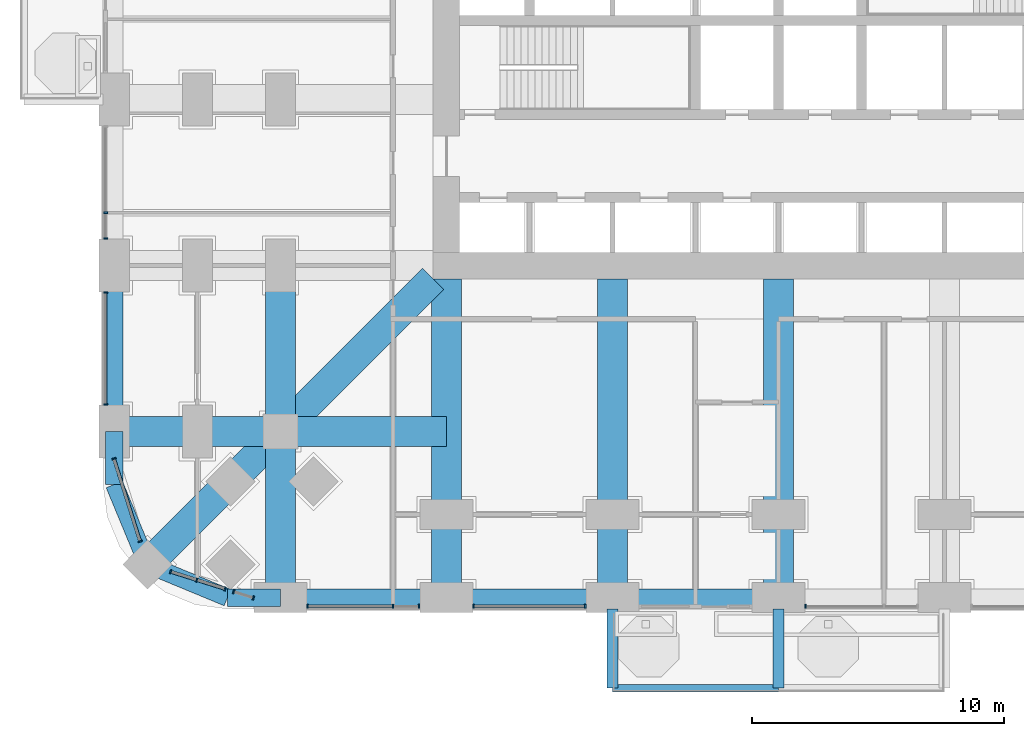
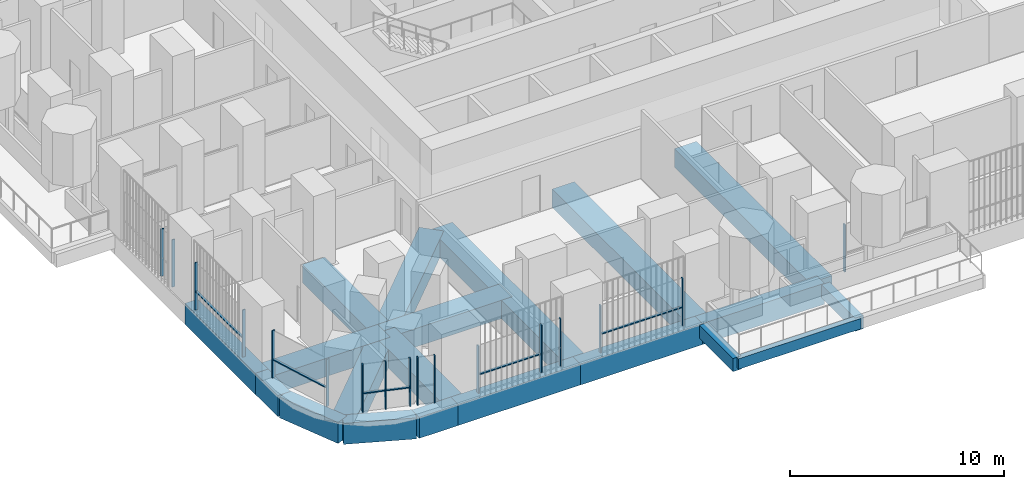
# One storey, part 2 of 26: 23 members, 20 beams, 8 elements without a shape of their own.
"""IFC4 building model written with IfcOpenShell, lengths in metres."""

from ifc_helpers import new_model, si_unit, direction, frame, origin, origin_2d, place, context, subcontext, project, spatial, rectangle, extrude, material, material_profile, profile_set, type_object, element, aggregate, save


model = new_model("IFC4")

# Units and contexts
model_context = context("Model", 3, precision=1e-05, world=origin(), true_north=direction((0.0, 1.0)))
body_context = subcontext(model_context, "Body", "Model", "MODEL_VIEW")
ifc_project = project(units=[si_unit("LENGTHUNIT", "METRE"), si_unit("AREAUNIT", "SQUARE_METRE"), si_unit("VOLUMEUNIT", "CUBIC_METRE"), si_unit("PLANEANGLEUNIT", "RADIAN"), si_unit("MASSUNIT", "GRAM", prefix="KILO")], contexts=[model_context])

# Site, building, storey
site_placement = place(None, origin())
site = spatial("IfcSite", under=ifc_project, at=site_placement, CompositionType="ELEMENT")
building_placement = place(site_placement, origin())
building = spatial("IfcBuilding", under=site, at=building_placement, Name="Cobogo Forest Laboratory Tower", CompositionType="ELEMENT")
storey_placement = place(building_placement, frame((0.0, 0.0, 50.699951171875)))
storey = spatial("IfcBuildingStorey", under=building, at=storey_placement, Name="L11", CompositionType="ELEMENT", Elevation=50.699951171875)

# Beams
ifc_material_1 = material(Name="Concrete HA-40 (C40/50)", Category="concrete")
ifc_material_profile_1 = material_profile(ifc_material_1, rectangle(XDim=0.449951171875, YDim=0.75, at=origin_2d()), Name="RC 450x750")
ifc_profile_set_1 = profile_set([ifc_material_profile_1], Name="Concrete HA-40 (C40/50)")
beam_type_1 = type_object("IfcBeamType", Name="Balcony cantilever beam 450x750", PredefinedType="BEAM", material=ifc_profile_set_1)
for number, where, z_axis, x_axis, name in (
    (1, (19.800048828125, -0.449951171875, -0.625), (0.0, -1.0, 0.0), (1.0, 0.0, 0.0), "CB1 BAL-S1-C1 L11"),
    (2, (26.39990234375, -0.449951171875, -0.625), (0.0, -1.0, 0.0), (1.0, 0.0, 0.0), "CB1 BAL-S1-C2 L11"),
):
    element("IfcBeam", number, at=place(storey_placement, frame(where, z_axis=z_axis, x_axis=x_axis)), inside=storey, type_object=beam_type_1, Name=name, PredefinedType="BEAM", context=body_context, shape_type="SweptSolid", body=[
        extrude(rectangle(XDim=0.449951171875, YDim=0.75, at=origin_2d()), origin(), (0.0, 0.0, 1.0), 3.150146484375),
    ])
ifc_material_profile_2 = material_profile(ifc_material_1, rectangle(XDim=0.300048828125, YDim=0.60009765625, at=origin_2d()), Name="RC 300x600")
ifc_profile_set_2 = profile_set([ifc_material_profile_2], Name="Concrete HA-40 (C40/50)")
beam_type_2 = type_object("IfcBeamType", Name="Balcony edge beam 300x600", PredefinedType="BEAM", material=ifc_profile_set_2)
beam_1_placement = place(storey_placement, frame((19.800048828125, -3.60009765625, -0.550048828125), z_axis=(1.0, 0.0, 0.0), x_axis=(0.0, 1.0, 0.0)))
element("IfcBeam", 3, at=beam_1_placement, inside=storey, type_object=beam_type_2, Name="BB1 BAL-S1-T1 L11", PredefinedType="BEAM", context=body_context, shape_type="SweptSolid", body=[
    extrude(rectangle(XDim=0.300048828125, YDim=0.60009765625, at=origin_2d()), origin(), (0.0, 0.0, 1.0), 6.599853515625),
])
ifc_material_profile_3 = material_profile(ifc_material_1, rectangle(XDim=1.199951171875, YDim=1.050048828125, at=origin_2d()), Name="RC 1200x1050")
ifc_profile_set_3 = profile_set([ifc_material_profile_3], Name="Concrete HA-40 (C40/50)")
beam_type_3 = type_object("IfcBeamType", Name="Laboratory floor wide beam 1200x1050", PredefinedType="BEAM", material=ifc_profile_set_3)
for number, where, z_axis, x_axis, name in (
    (4, (13.199951171875, 12.675048828125, -0.824951171875), (0.0, -1.0, 0.0), (1.0, 0.0, 0.0), "RB1 R-3-S L11"),
    (5, (19.800048828125, 12.675048828125, -0.824951171875), (0.0, -1.0, 0.0), (1.0, 0.0, 0.0), "RB1 R-4-S L11"),
    (6, (26.39990234375, 12.675048828125, -0.824951171875), (0.0, -1.0, 0.0), (1.0, 0.0, 0.0), "RB1 R-5-S L11"),
):
    element("IfcBeam", number, at=place(storey_placement, frame(where, z_axis=z_axis, x_axis=x_axis)), inside=storey, type_object=beam_type_3, Name=name, PredefinedType="BEAM", context=body_context, shape_type="SweptSolid", body=[
        extrude(rectangle(XDim=1.199951171875, YDim=1.050048828125, at=origin_2d()), origin(), (0.0, 0.0, 1.0), 12.675048828125),
    ])
beam_2_placement = place(storey_placement, frame((6.60009765625, 0.0, -0.824951171875), z_axis=(0.0, 1.0, 0.0), x_axis=(-1.0, 0.0, 0.0)))
element("IfcBeam", 7, at=beam_2_placement, inside=storey, type_object=beam_type_3, Name="RB1 G-SW-XF L11", PredefinedType="BEAM", context=body_context, shape_type="SweptSolid", body=[
    extrude(rectangle(XDim=1.199951171875, YDim=1.050048828125, at=origin_2d()), origin(), (0.0, 0.0, 1.0), 6.60009765625),
])
beam_3_placement = place(storey_placement, frame((6.60009765625, 6.60009765625, -0.824951171875), z_axis=(0.0, 1.0, 0.0), x_axis=(-1.0, 0.0, 0.0)))
element("IfcBeam", 8, at=beam_3_placement, inside=storey, type_object=beam_type_3, Name="RB1 G-SW-XC L11", PredefinedType="BEAM", context=body_context, shape_type="SweptSolid", body=[
    extrude(rectangle(XDim=1.199951171875, YDim=1.050048828125, at=origin_2d()), origin(), (0.0, 0.0, 1.0), 6.599853515625),
])
beam_4_placement = place(storey_placement, frame((0.0, 6.60009765625, -0.824951171875), z_axis=(1.0, 0.0, 0.0), x_axis=(0.0, 1.0, 0.0)))
element("IfcBeam", 9, at=beam_4_placement, inside=storey, type_object=beam_type_3, Name="RB1 G-SW-YF L11", PredefinedType="BEAM", context=body_context, shape_type="SweptSolid", body=[
    extrude(rectangle(XDim=1.199951171875, YDim=1.050048828125, at=origin_2d()), origin(), (0.0, 0.0, 1.0), 6.60009765625),
])
beam_5_placement = place(storey_placement, frame((6.60009765625, 6.60009765625, -0.824951171875), z_axis=(1.0, 0.0, 0.0), x_axis=(0.0, 1.0, 0.0)))
element("IfcBeam", 10, at=beam_5_placement, inside=storey, type_object=beam_type_3, Name="RB1 G-SW-YC L11", PredefinedType="BEAM", context=body_context, shape_type="SweptSolid", body=[
    extrude(rectangle(XDim=1.199951171875, YDim=1.050048828125, at=origin_2d()), origin(), (0.0, 0.0, 1.0), 6.599853515625),
])
beam_6_placement = place(storey_placement, frame((1.318115234375, 1.318115234375, -0.824951171875), z_axis=(0.707106781187, 0.707106781187, 0.0), x_axis=(-0.707106781187, 0.707106781187, 0.0)))
element("IfcBeam", 11, at=beam_6_placement, inside=storey, type_object=beam_type_3, Name="RB1 G-SW-D1 L11", PredefinedType="BEAM", context=body_context, shape_type="SweptSolid", body=[
    extrude(rectangle(XDim=1.199951171875, YDim=1.050048828125, at=origin_2d()), origin(), (0.0, 0.0, 1.0), 7.469970703125),
])
beam_7_placement = place(storey_placement, frame((6.60009765625, 6.60009765625, -0.824951171875), z_axis=(0.707106781187, 0.707106781187, 0.0), x_axis=(-0.707106781187, 0.707106781187, 0.0)))
element("IfcBeam", 12, at=beam_7_placement, inside=storey, type_object=beam_type_3, Name="RB1 G-SW-D2 L11", PredefinedType="BEAM", context=body_context, shape_type="SweptSolid", body=[
    extrude(rectangle(XDim=1.199951171875, YDim=1.050048828125, at=origin_2d()), origin(), (0.0, 0.0, 1.0), 8.59130859375),
])

# Curtain wall, members
ifc_material_2 = material(Name="Aluminium curtain wall", Category="aluminium")
curtain_wall_type = type_object("IfcCurtainWallType", Name="CW-1 unitised curtain wall, clear glazing, laboratory floors zones A and B", PredefinedType="USERDEFINED", material=ifc_material_2)
curtain_wall_1_placement = place(storey_placement, origin())
curtain_wall_1 = element("IfcCurtainWall", 13, at=curtain_wall_1_placement, inside=storey, type_object=curtain_wall_type, Name="Curtain wall 01 L11", ObjectType="UNITISED CURTAIN WALL", PredefinedType="USERDEFINED")
ifc_material_3 = material(Name="Aluminium mullion", Category="aluminium")
ifc_material_profile_4 = material_profile(ifc_material_3, rectangle(XDim=0.06005859375, YDim=0.159912109375, at=origin_2d()), Name="AL 60x160")
ifc_profile_set_4 = profile_set([ifc_material_profile_4], Name="Aluminium mullion")
member_type_1 = type_object("IfcMemberType", Name="MU-1 aluminium mullion 60x160", PredefinedType="MULLION", material=ifc_profile_set_4)
member_1_placement = place(storey_placement, frame((7.679931640625, -0.35009765625, 0.0), z_axis=(0.0, 0.0, 1.0), x_axis=(1.0, 0.0, 0.0)))
member_1 = element("IfcMember", 14, at=member_1_placement, type_object=member_type_1, Name="CW-1 mullion 1", PredefinedType="MULLION", context=body_context, shape_type="SweptSolid", body=[
    extrude(rectangle(XDim=0.06005859375, YDim=0.159912109375, at=origin_2d()), origin(), (0.0, 0.0, 1.0), 2.699951171875),
])
member_2_placement = place(storey_placement, frame((11.074951171875, -0.35009765625, 0.0), z_axis=(0.0, 0.0, 1.0), x_axis=(1.0, 0.0, 0.0)))
member_2 = element("IfcMember", 15, at=member_2_placement, type_object=member_type_1, Name="CW-1 mullion 2", PredefinedType="MULLION", context=body_context, shape_type="SweptSolid", body=[
    extrude(rectangle(XDim=0.06005859375, YDim=0.159912109375, at=origin_2d()), origin(), (0.0, 0.0, 1.0), 2.699951171875),
])
member_3_placement = place(storey_placement, frame((12.1201171875, -0.35009765625, 0.0), z_axis=(0.0, 0.0, 1.0), x_axis=(1.0, 0.0, 0.0)))
member_3 = element("IfcMember", 16, at=member_3_placement, type_object=member_type_1, Name="CW-1 mullion 3", PredefinedType="MULLION", context=body_context, shape_type="SweptSolid", body=[
    extrude(rectangle(XDim=0.06005859375, YDim=0.159912109375, at=origin_2d()), origin(), (0.0, 0.0, 1.0), 2.699951171875),
])

curtain_wall_2_placement = place(storey_placement, origin())
curtain_wall_2 = element("IfcCurtainWall", 17, at=curtain_wall_2_placement, inside=storey, type_object=curtain_wall_type, Name="Curtain wall 02 L11", ObjectType="UNITISED CURTAIN WALL", PredefinedType="USERDEFINED")
member_4_placement = place(storey_placement, frame((14.280029296875, -0.35009765625, 0.0), z_axis=(0.0, 0.0, 1.0), x_axis=(1.0, 0.0, 0.0)))
member_4 = element("IfcMember", 18, at=member_4_placement, type_object=member_type_1, Name="CW-1 mullion 1", PredefinedType="MULLION", context=body_context, shape_type="SweptSolid", body=[
    extrude(rectangle(XDim=0.06005859375, YDim=0.159912109375, at=origin_2d()), origin(), (0.0, 0.0, 1.0), 2.699951171875),
])
member_5_placement = place(storey_placement, frame((18.719970703125, -0.35009765625, 0.0), z_axis=(0.0, 0.0, 1.0), x_axis=(1.0, 0.0, 0.0)))
member_5 = element("IfcMember", 19, at=member_5_placement, type_object=member_type_1, Name="CW-1 mullion 2", PredefinedType="MULLION", context=body_context, shape_type="SweptSolid", body=[
    extrude(rectangle(XDim=0.06005859375, YDim=0.159912109375, at=origin_2d()), origin(), (0.0, 0.0, 1.0), 2.699951171875),
])

# Curtain wall, member
curtain_wall_3_placement = place(storey_placement, origin())
curtain_wall_3 = element("IfcCurtainWall", 20, at=curtain_wall_3_placement, inside=storey, type_object=curtain_wall_type, Name="Curtain wall 04 L11", ObjectType="UNITISED CURTAIN WALL", PredefinedType="USERDEFINED")
member_6_placement = place(storey_placement, frame((27.47998046875, -0.35009765625, 0.0), z_axis=(0.0, 0.0, 1.0), x_axis=(1.0, 0.0, 0.0)))
member_6 = element("IfcMember", 21, at=member_6_placement, type_object=member_type_1, Name="CW-1 mullion 1", PredefinedType="MULLION", context=body_context, shape_type="SweptSolid", body=[
    extrude(rectangle(XDim=0.06005859375, YDim=0.159912109375, at=origin_2d()), origin(), (0.0, 0.0, 1.0), 2.699951171875),
])
aggregate(curtain_wall_3, [member_6])

# Curtain wall, members
curtain_wall_4_placement = place(storey_placement, origin())
curtain_wall_4 = element("IfcCurtainWall", 22, at=curtain_wall_4_placement, inside=storey, type_object=curtain_wall_type, Name="Curtain wall 30 L11", ObjectType="UNITISED CURTAIN WALL", PredefinedType="USERDEFINED")
member_7_placement = place(storey_placement, frame((-0.35009765625, 15.300048828125, 0.0), z_axis=(0.0, 0.0, 1.0), x_axis=(0.0, -1.0, 0.0)))
member_7 = element("IfcMember", 23, at=member_7_placement, type_object=member_type_1, Name="CW-1 mullion 2", PredefinedType="MULLION", context=body_context, shape_type="SweptSolid", body=[
    extrude(rectangle(XDim=0.06005859375, YDim=0.159912109375, at=origin_2d()), origin(), (0.0, 0.0, 1.0), 2.699951171875),
])
member_8_placement = place(storey_placement, frame((-0.35009765625, 14.280029296875, 0.0), z_axis=(0.0, 0.0, 1.0), x_axis=(0.0, -1.0, 0.0)))
member_8 = element("IfcMember", 24, at=member_8_placement, type_object=member_type_1, Name="CW-1 mullion 3", PredefinedType="MULLION", context=body_context, shape_type="SweptSolid", body=[
    extrude(rectangle(XDim=0.06005859375, YDim=0.159912109375, at=origin_2d()), origin(), (0.0, 0.0, 1.0), 2.699951171875),
])
aggregate(curtain_wall_4, [member_7, member_8])

curtain_wall_5_placement = place(storey_placement, origin())
curtain_wall_5 = element("IfcCurtainWall", 25, at=curtain_wall_5_placement, inside=storey, type_object=curtain_wall_type, Name="Curtain wall 31 L11", ObjectType="UNITISED CURTAIN WALL", PredefinedType="USERDEFINED")
member_9_placement = place(storey_placement, frame((-0.35009765625, 12.1201171875, 0.0), z_axis=(0.0, 0.0, 1.0), x_axis=(0.0, -1.0, 0.0)))
member_9 = element("IfcMember", 26, at=member_9_placement, type_object=member_type_1, Name="CW-1 mullion 1", PredefinedType="MULLION", context=body_context, shape_type="SweptSolid", body=[
    extrude(rectangle(XDim=0.06005859375, YDim=0.159912109375, at=origin_2d()), origin(), (0.0, 0.0, 1.0), 2.699951171875),
])
member_10_placement = place(storey_placement, frame((-0.35009765625, 7.679931640625, 0.0), z_axis=(0.0, 0.0, 1.0), x_axis=(0.0, -1.0, 0.0)))
member_10 = element("IfcMember", 27, at=member_10_placement, type_object=member_type_1, Name="CW-1 mullion 2", PredefinedType="MULLION", context=body_context, shape_type="SweptSolid", body=[
    extrude(rectangle(XDim=0.06005859375, YDim=0.159912109375, at=origin_2d()), origin(), (0.0, 0.0, 1.0), 2.699951171875),
])

curtain_wall_6_placement = place(storey_placement, origin())
curtain_wall_6 = element("IfcCurtainWall", 28, at=curtain_wall_6_placement, inside=storey, type_object=curtain_wall_type, Name="Curtain wall 32 L11", ObjectType="UNITISED CURTAIN WALL", PredefinedType="USERDEFINED")
member_11_placement = place(storey_placement, frame((-0.00927734375, 5.521484375, 0.0), z_axis=(0.0, 0.0, 1.0), x_axis=(0.30113535792, -0.95358140513, 0.0)))
member_11 = element("IfcMember", 29, at=member_11_placement, type_object=member_type_1, Name="CW-1 mullion 1", PredefinedType="MULLION", context=body_context, shape_type="SweptSolid", body=[
    extrude(rectangle(XDim=0.06005859375, YDim=0.159912109375, at=origin_2d()), origin(), (0.0, 0.0, 1.0), 2.699951171875),
])
member_12_placement = place(storey_placement, frame((1.02734375, 2.23876953125, 0.0), z_axis=(0.0, 0.0, 1.0), x_axis=(0.30113535792, -0.95358140513, 0.0)))
member_12 = element("IfcMember", 30, at=member_12_placement, type_object=member_type_1, Name="CW-1 mullion 2", PredefinedType="MULLION", context=body_context, shape_type="SweptSolid", body=[
    extrude(rectangle(XDim=0.06005859375, YDim=0.159912109375, at=origin_2d()), origin(), (0.0, 0.0, 1.0), 2.699951171875),
])

curtain_wall_7_placement = place(storey_placement, origin())
curtain_wall_7 = element("IfcCurtainWall", 31, at=curtain_wall_7_placement, inside=storey, type_object=curtain_wall_type, Name="Curtain wall 33 L11", ObjectType="UNITISED CURTAIN WALL", PredefinedType="USERDEFINED")
member_13_placement = place(storey_placement, frame((2.23876953125, 1.02734375, 0.0), z_axis=(0.0, 0.0, 1.0), x_axis=(0.953581409645, -0.301135343623, 0.0)))
member_13 = element("IfcMember", 32, at=member_13_placement, type_object=member_type_1, Name="CW-1 mullion 1", PredefinedType="MULLION", context=body_context, shape_type="SweptSolid", body=[
    extrude(rectangle(XDim=0.06005859375, YDim=0.159912109375, at=origin_2d()), origin(), (0.0, 0.0, 1.0), 2.699951171875),
])
member_14_placement = place(storey_placement, frame((3.27587890625, 0.69970703125, 0.0), z_axis=(0.0, 0.0, 1.0), x_axis=(0.953581409645, -0.301135343623, 0.0)))
member_14 = element("IfcMember", 33, at=member_14_placement, type_object=member_type_1, Name="CW-1 mullion 2", PredefinedType="MULLION", context=body_context, shape_type="SweptSolid", body=[
    extrude(rectangle(XDim=0.06005859375, YDim=0.159912109375, at=origin_2d()), origin(), (0.0, 0.0, 1.0), 2.699951171875),
])
member_15_placement = place(storey_placement, frame((4.39697265625, 0.345703125, 0.0), z_axis=(0.0, 0.0, 1.0), x_axis=(0.953581409645, -0.301135343623, 0.0)))
member_15 = element("IfcMember", 34, at=member_15_placement, type_object=member_type_1, Name="CW-1 mullion 3", PredefinedType="MULLION", context=body_context, shape_type="SweptSolid", body=[
    extrude(rectangle(XDim=0.06005859375, YDim=0.159912109375, at=origin_2d()), origin(), (0.0, 0.0, 1.0), 2.699951171875),
])

curtain_wall_8_placement = place(storey_placement, origin())
curtain_wall_8 = element("IfcCurtainWall", 35, at=curtain_wall_8_placement, inside=storey, type_object=curtain_wall_type, Name="Curtain wall 34 L11", ObjectType="UNITISED CURTAIN WALL", PredefinedType="USERDEFINED")
member_16_placement = place(storey_placement, frame((4.74658203125, 0.2353515625, 0.0), z_axis=(0.0, 0.0, 1.0), x_axis=(0.953581504428, -0.301135043481, 0.0)))
member_16 = element("IfcMember", 36, at=member_16_placement, type_object=member_type_1, Name="CW-1 mullion 1", PredefinedType="MULLION", context=body_context, shape_type="SweptSolid", body=[
    extrude(rectangle(XDim=0.06005859375, YDim=0.159912109375, at=origin_2d()), origin(), (0.0, 0.0, 1.0), 2.699951171875),
])
member_17_placement = place(storey_placement, frame((5.521484375, -0.00927734375, 0.0), z_axis=(0.0, 0.0, 1.0), x_axis=(0.953581504428, -0.301135043481, 0.0)))
member_17 = element("IfcMember", 37, at=member_17_placement, type_object=member_type_1, Name="CW-1 mullion 2", PredefinedType="MULLION", context=body_context, shape_type="SweptSolid", body=[
    extrude(rectangle(XDim=0.06005859375, YDim=0.159912109375, at=origin_2d()), origin(), (0.0, 0.0, 1.0), 2.699951171875),
])
aggregate(curtain_wall_8, [member_16, member_17])

# Beams
ifc_material_profile_5 = material_profile(ifc_material_1, rectangle(XDim=0.699951171875, YDim=1.199951171875, at=origin_2d()), Name="RC 700x1200")
ifc_profile_set_5 = profile_set([ifc_material_profile_5], Name="Concrete HA-40 (C40/50)")
beam_type_4 = type_object("IfcBeamType", Name="Perimeter edge beam 700x1200", PredefinedType="BEAM", material=ifc_profile_set_5)
beam_8_placement = place(storey_placement, frame((6.60009765625, 0.0, -0.89990234375), z_axis=(1.0, 0.0, 0.0), x_axis=(0.0, 1.0, 0.0)))
element("IfcBeam", 38, at=beam_8_placement, inside=storey, type_object=beam_type_4, Name="EB1 E-S1 L11", PredefinedType="BEAM", context=body_context, shape_type="SweptSolid", body=[
    extrude(rectangle(XDim=0.699951171875, YDim=1.199951171875, at=origin_2d()), origin(), (0.0, 0.0, 1.0), 6.599853515625),
])
beam_9_placement = place(storey_placement, frame((13.199951171875, 0.0, -0.89990234375), z_axis=(1.0, 0.0, 0.0), x_axis=(0.0, 1.0, 0.0)))
element("IfcBeam", 39, at=beam_9_placement, inside=storey, type_object=beam_type_4, Name="EB1 E-S2 L11", PredefinedType="BEAM", context=body_context, shape_type="SweptSolid", body=[
    extrude(rectangle(XDim=0.699951171875, YDim=1.199951171875, at=origin_2d()), origin(), (0.0, 0.0, 1.0), 6.60009765625),
])
for number, where, z_axis, x_axis, name in (
    (40, (19.800048828125, 0.0, -0.89990234375), (1.0, 0.0, 0.0), (0.0, 1.0, 0.0), "EB1 E-S3 L11"),
    (41, (0.0, 6.60009765625, -0.89990234375), (0.0, 1.0, 0.0), (-1.0, 0.0, 0.0), "EB1 E-W1 L11"),
):
    element("IfcBeam", number, at=place(storey_placement, frame(where, z_axis=z_axis, x_axis=x_axis)), inside=storey, type_object=beam_type_4, Name=name, PredefinedType="BEAM", context=body_context, shape_type="SweptSolid", body=[
        extrude(rectangle(XDim=0.699951171875, YDim=1.199951171875, at=origin_2d()), origin(), (0.0, 0.0, 1.0), 6.599853515625),
    ])
beam_10_placement = place(storey_placement, frame((6.60009765625, 0.0, -0.89990234375), z_axis=(-1.0, 0.0, 0.0), x_axis=(0.0, -1.0, 0.0)))
element("IfcBeam", 42, at=beam_10_placement, inside=storey, type_object=beam_type_4, Name="EB1 E-SWS1 L11", PredefinedType="BEAM", context=body_context, shape_type="SweptSolid", body=[
    extrude(rectangle(XDim=0.699951171875, YDim=1.199951171875, at=origin_2d()), origin(), (0.0, 0.0, 1.0), 2.10009765625),
])
beam_11_placement = place(storey_placement, frame((4.5, 0.0, -0.89990234375), z_axis=(-0.923865631356, 0.382716990999, 0.0), x_axis=(-0.382716990999, -0.923865631356, 0.0)))
element("IfcBeam", 43, at=beam_11_placement, inside=storey, type_object=beam_type_4, Name="EB1 E-SWS2 L11", PredefinedType="BEAM", context=body_context, shape_type="SweptSolid", body=[
    extrude(rectangle(XDim=0.699951171875, YDim=1.199951171875, at=origin_2d()), origin(), (0.0, 0.0, 1.0), 3.444091796875),
])
beam_12_placement = place(storey_placement, frame((0.0, 6.60009765625, -0.89990234375), z_axis=(0.0, -1.0, 0.0), x_axis=(1.0, 0.0, 0.0)))
element("IfcBeam", 44, at=beam_12_placement, inside=storey, type_object=beam_type_4, Name="EB1 E-SWW1 L11", PredefinedType="BEAM", context=body_context, shape_type="SweptSolid", body=[
    extrude(rectangle(XDim=0.699951171875, YDim=1.199951171875, at=origin_2d()), origin(), (0.0, 0.0, 1.0), 2.10009765625),
])
beam_13_placement = place(storey_placement, frame((0.0, 4.5, -0.89990234375), z_axis=(0.382716990999, -0.923865631356, 0.0), x_axis=(0.923865631356, 0.382716990999, 0.0)))
element("IfcBeam", 45, at=beam_13_placement, inside=storey, type_object=beam_type_4, Name="EB1 E-SWW2 L11", PredefinedType="BEAM", context=body_context, shape_type="SweptSolid", body=[
    extrude(rectangle(XDim=0.699951171875, YDim=1.199951171875, at=origin_2d()), origin(), (0.0, 0.0, 1.0), 3.444091796875),
])

# Member
ifc_material_4 = material(Name="Aluminium transom", Category="aluminium")
ifc_material_profile_6 = material_profile(ifc_material_4, rectangle(XDim=0.1201171875, YDim=0.06005859375, at=origin_2d()), Name="AL 60x120")
ifc_profile_set_6 = profile_set([ifc_material_profile_6], Name="Aluminium transom")
member_type_2 = type_object("IfcMemberType", Name="TR-1 aluminium transom 60x120", PredefinedType="USERDEFINED", material=ifc_profile_set_6)
member_18_placement = place(storey_placement, frame((7.7099609375, -0.35009765625, 1.050048828125), z_axis=(1.0, 0.0, 0.0), x_axis=(0.0, 1.0, 0.0)))
member_18 = element("IfcMember", 46, at=member_18_placement, type_object=member_type_2, Name="CW-1 transom 1.1", ObjectType="TRANSOM", PredefinedType="USERDEFINED", context=body_context, shape_type="SweptSolid", body=[
    extrude(rectangle(XDim=0.1201171875, YDim=0.06005859375, at=origin_2d()), origin(), (0.0, 0.0, 1.0), 3.3349609375),
])

aggregate(curtain_wall_1, [member_1, member_2, member_3, member_18])

member_19_placement = place(storey_placement, frame((14.31005859375, -0.35009765625, 1.050048828125), z_axis=(1.0, 0.0, 0.0), x_axis=(0.0, 1.0, 0.0)))
member_19 = element("IfcMember", 47, at=member_19_placement, type_object=member_type_2, Name="CW-1 transom 1.1", ObjectType="TRANSOM", PredefinedType="USERDEFINED", context=body_context, shape_type="SweptSolid", body=[
    extrude(rectangle(XDim=0.1201171875, YDim=0.06005859375, at=origin_2d()), origin(), (0.0, 0.0, 1.0), 4.3798828125),
])

aggregate(curtain_wall_2, [member_4, member_5, member_19])

member_20_placement = place(storey_placement, frame((-0.35009765625, 12.090087890625, 1.050048828125), z_axis=(0.0, -1.0, 0.0), x_axis=(1.0, 0.0, 0.0)))
member_20 = element("IfcMember", 48, at=member_20_placement, type_object=member_type_2, Name="CW-1 transom 1.1", ObjectType="TRANSOM", PredefinedType="USERDEFINED", context=body_context, shape_type="SweptSolid", body=[
    extrude(rectangle(XDim=0.1201171875, YDim=0.06005859375, at=origin_2d()), origin(), (0.0, 0.0, 1.0), 4.380126953125),
])

aggregate(curtain_wall_5, [member_9, member_10, member_20])

member_21_placement = place(storey_placement, frame((-0.000244140625, 5.49267578125, 1.050048828125), z_axis=(0.301138276922, -0.953580483322, 0.0), x_axis=(0.953580483322, 0.301138276922, 0.0)))
member_21 = element("IfcMember", 49, at=member_21_placement, type_object=member_type_2, Name="CW-1 transom 1.1", ObjectType="TRANSOM", PredefinedType="USERDEFINED", context=body_context, shape_type="SweptSolid", body=[
    extrude(rectangle(XDim=0.1201171875, YDim=0.06005859375, at=origin_2d()), origin(), (0.0, 0.0, 1.0), 3.38232421875),
])

aggregate(curtain_wall_6, [member_11, member_12, member_21])

member_22_placement = place(storey_placement, frame((2.267333984375, 1.018310546875, 1.050048828125), z_axis=(0.953553938535, -0.301222320394, 0.0), x_axis=(0.301222320394, 0.953553938535, 0.0)))
member_22 = element("IfcMember", 50, at=member_22_placement, type_object=member_type_2, Name="CW-1 transom 1.1", ObjectType="TRANSOM", PredefinedType="USERDEFINED", context=body_context, shape_type="SweptSolid", body=[
    extrude(rectangle(XDim=0.1201171875, YDim=0.06005859375, at=origin_2d()), origin(), (0.0, 0.0, 1.0), 1.02783203125),
])

member_23_placement = place(storey_placement, frame((3.304443359375, 0.690673828125, 1.050048828125), z_axis=(0.953595892327, -0.301089478624, 0.0), x_axis=(0.301089478624, 0.953595892327, 0.0)))
member_23 = element("IfcMember", 51, at=member_23_placement, type_object=member_type_2, Name="CW-1 transom 2.1", ObjectType="TRANSOM", PredefinedType="USERDEFINED", context=body_context, shape_type="SweptSolid", body=[
    extrude(rectangle(XDim=0.1201171875, YDim=0.06005859375, at=origin_2d()), origin(), (0.0, 0.0, 1.0), 1.11572265625),
])

aggregate(curtain_wall_7, [member_13, member_14, member_15, member_22, member_23])

save(model, "model.ifc")
